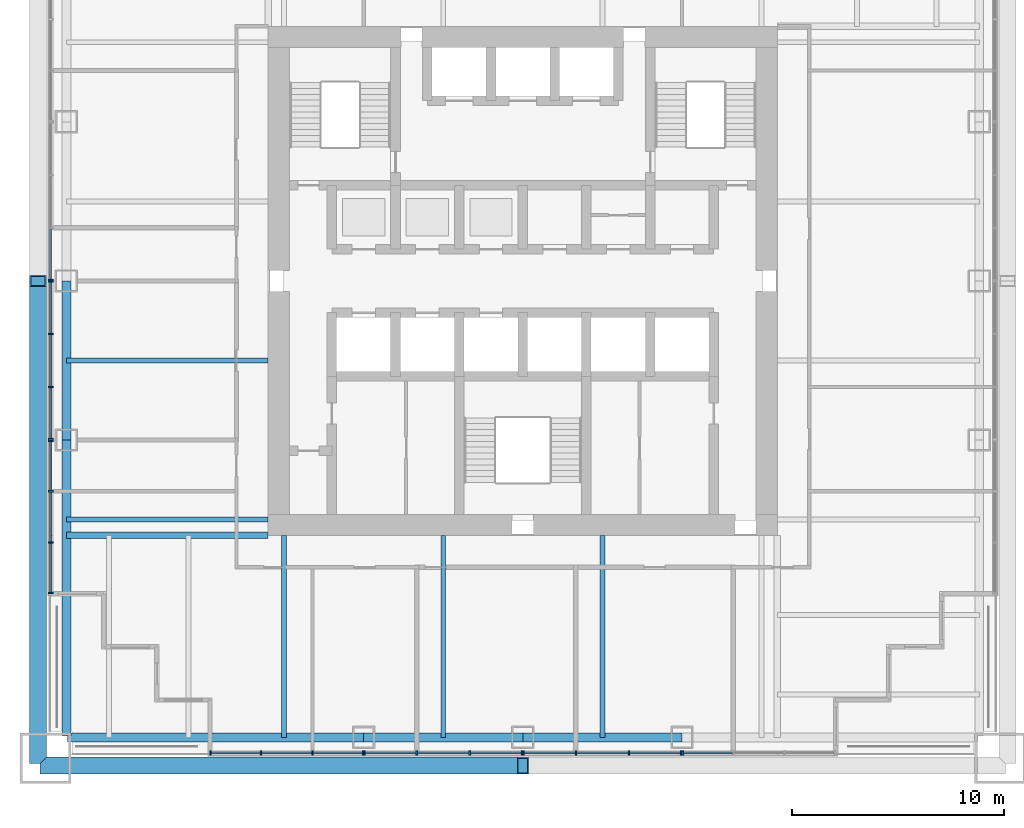
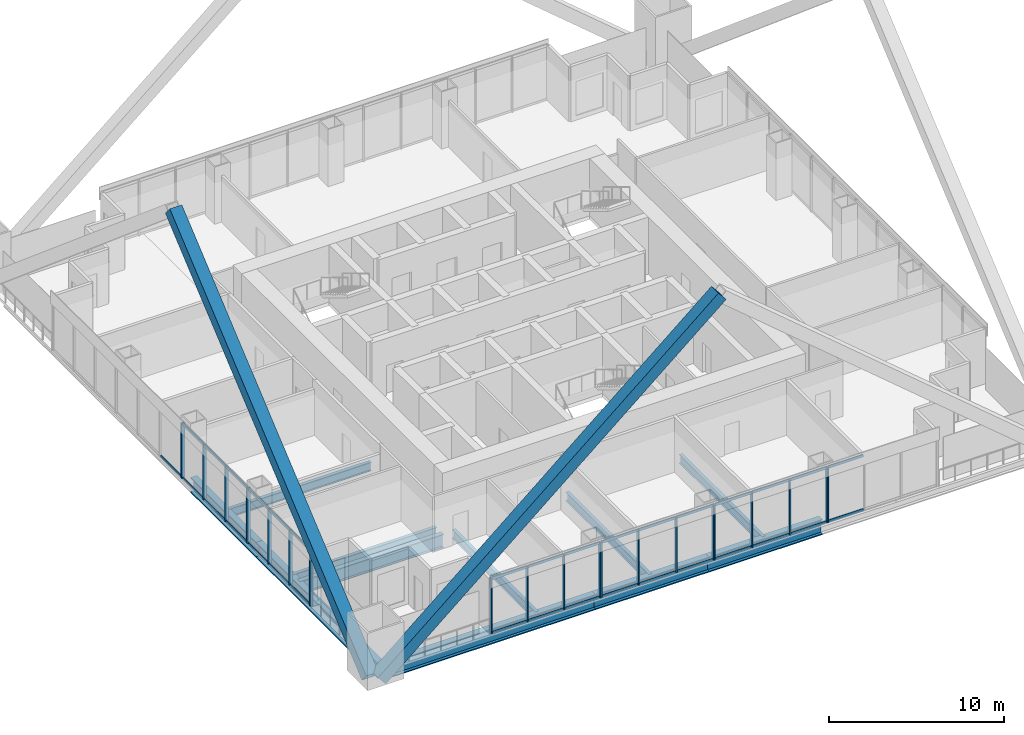
# One storey, part 2 of 14: 57 members, 11 beams, 7 elements without a shape of their own.
"""IFC4 building model written with IfcOpenShell, lengths in metres."""

from ifc_helpers import new_model, si_unit, direction, frame, origin, origin_2d, place, context, subcontext, project, spatial, rectangle, hollow_rectangle, i_section, extrude, material, material_profile, profile_set, type_object, element, aggregate, save


model = new_model("IFC4")

# Units and contexts
model_context = context("Model", 3, precision=1e-05, world=origin(), true_north=direction((0.0, 1.0)))
body_context = subcontext(model_context, "Body", "Model", "MODEL_VIEW")
ifc_project = project(units=[si_unit("LENGTHUNIT", "METRE"), si_unit("AREAUNIT", "SQUARE_METRE"), si_unit("VOLUMEUNIT", "CUBIC_METRE"), si_unit("PLANEANGLEUNIT", "RADIAN"), si_unit("MASSUNIT", "GRAM", prefix="KILO")], contexts=[model_context])

# Site, building, storey
site_placement = place(None, origin())
site = spatial("IfcSite", under=ifc_project, at=site_placement, CompositionType="ELEMENT")
building_placement = place(site_placement, origin())
building = spatial("IfcBuilding", under=site, at=building_placement, Name="Tarangal Relay Tower", CompositionType="ELEMENT")
storey_placement = place(building_placement, frame((0.0, 0.0, 177.89990234375)))
storey = spatial("IfcBuildingStorey", under=building, at=storey_placement, Name="L36", CompositionType="ELEMENT", Elevation=177.89990234375)

# Beams
ifc_material_1 = material(Name="Steel ASTM A992", Category="steel")
ifc_material_profile_1 = material_profile(ifc_material_1, i_section(OverallWidth=0.307373046875, OverallDepth=0.9423828125, WebThickness=0.022216796875, FlangeThickness=0.039794921875, at=origin_2d()), Name="W36X232")
ifc_profile_set_1 = profile_set([ifc_material_profile_1], Name="Steel ASTM A992")
beam_type_1 = type_object("IfcBeamType", Name="Corner girder W36X232", PredefinedType="BEAM", material=ifc_profile_set_1)
beam_1_placement = place(storey_placement, frame((-12.0, -12.0, -0.62109375), z_axis=(-1.0, 0.0, 0.0), x_axis=(0.0, -1.0, 0.0)))
element("IfcBeam", 1, at=beam_1_placement, inside=storey, type_object=beam_type_1, Name="Corner girder CG4 S L36", PredefinedType="BEAM", context=body_context, shape_type="SweptSolid", body=[
    extrude(i_section(OverallWidth=0.307373046875, OverallDepth=0.9423828125, WebThickness=0.022216796875, FlangeThickness=0.039794921875, at=origin_2d()), origin(), (0.0, 0.0, 1.0), 9.514892578125),
])
ifc_material_profile_2 = material_profile(ifc_material_1, i_section(OverallWidth=0.41650390625, OverallDepth=1.0693359375, WebThickness=0.0390625, FlangeThickness=0.070068359375, at=origin_2d()), Name="W40X503")
ifc_profile_set_2 = profile_set([ifc_material_profile_2], Name="Steel ASTM A992")
beam_type_2 = type_object("IfcBeamType", Name="Edge girder W40X503", PredefinedType="SPANDREL", material=ifc_profile_set_2)
for number, where, z_axis, x_axis, name in (
    (2, (7.5, -21.514892578125, -0.6845703125), (-1.0, 0.0, 0.0), (0.0, -1.0, 0.0), "Edge girder EG8 S L36"),
    (3, (0.0, -21.514892578125, -0.6845703125), (-1.0, 0.0, 0.0), (0.0, -1.0, 0.0), "Edge girder EG8 S L36"),
):
    element("IfcBeam", number, at=place(storey_placement, frame(where, z_axis=z_axis, x_axis=x_axis)), inside=storey, type_object=beam_type_2, Name=name, PredefinedType="SPANDREL", context=body_context, shape_type="SweptSolid", body=[
        extrude(i_section(OverallWidth=0.41650390625, OverallDepth=1.0693359375, WebThickness=0.0390625, FlangeThickness=0.070068359375, at=origin_2d()), origin(), (0.0, 0.0, 1.0), 7.5),
    ])
for number, where, z_axis, x_axis, name in (
    (4, (-7.5, -21.514892578125, -0.6845703125), (-1.0, 0.0, 0.0), (0.0, -1.0, 0.0), "Edge girder EG8 S L36"),
    (5, (-21.514892578125, -21.449951171875, -0.6845703125), (0.0, 1.0, 0.0), (-1.0, 0.0, 0.0), "Edge girder EG8 W L36"),
):
    element("IfcBeam", number, at=place(storey_placement, frame(where, z_axis=z_axis, x_axis=x_axis)), inside=storey, type_object=beam_type_2, Name=name, PredefinedType="SPANDREL", context=body_context, shape_type="SweptSolid", body=[
        extrude(i_section(OverallWidth=0.41650390625, OverallDepth=1.0693359375, WebThickness=0.0390625, FlangeThickness=0.070068359375, at=origin_2d()), origin(), (0.0, 0.0, 1.0), 13.949951171875),
    ])
beam_2_placement = place(storey_placement, frame((-21.514892578125, -7.5, -0.6845703125), z_axis=(0.0, 1.0, 0.0), x_axis=(-1.0, 0.0, 0.0)))
element("IfcBeam", 6, at=beam_2_placement, inside=storey, type_object=beam_type_2, Name="Edge girder EG8 W L36", PredefinedType="SPANDREL", context=body_context, shape_type="SweptSolid", body=[
    extrude(i_section(OverallWidth=0.41650390625, OverallDepth=1.0693359375, WebThickness=0.0390625, FlangeThickness=0.070068359375, at=origin_2d()), origin(), (0.0, 0.0, 1.0), 7.5),
])
ifc_material_profile_3 = material_profile(ifc_material_1, i_section(OverallWidth=0.22900390625, OverallDepth=0.612060546875, WebThickness=0.011962890625, FlangeThickness=0.01953125, at=origin_2d()), Name="W24X84")
ifc_profile_set_3 = profile_set([ifc_material_profile_3], Name="Steel ASTM A992")
beam_type_3 = type_object("IfcBeamType", Name="Floor beam W24X84", PredefinedType="BEAM", material=ifc_profile_set_3)
for number, where, z_axis, x_axis, name in (
    (7, (3.75, -12.0, -0.455810546875), (0.0, -1.0, 0.0), (1.0, 0.0, 0.0), "Floor beam RB12 S L36"),
    (8, (-3.75, -12.0, -0.455810546875), (0.0, -1.0, 0.0), (1.0, 0.0, 0.0), "Floor beam RB12 S L36"),
    (9, (-11.25, -12.0, -0.455810546875), (0.0, -1.0, 0.0), (1.0, 0.0, 0.0), "Floor beam RB12 S L36"),
    (10, (-12.0, -11.25, -0.455810546875), (-1.0, 0.0, 0.0), (0.0, -1.0, 0.0), "Floor beam RB12 W L36"),
    (11, (-12.0, -3.75, -0.455810546875), (-1.0, 0.0, 0.0), (0.0, -1.0, 0.0), "Floor beam RB12 W L36"),
):
    element("IfcBeam", number, at=place(storey_placement, frame(where, z_axis=z_axis, x_axis=x_axis)), inside=storey, type_object=beam_type_3, Name=name, PredefinedType="BEAM", context=body_context, shape_type="SweptSolid", body=[
        extrude(i_section(OverallWidth=0.22900390625, OverallDepth=0.612060546875, WebThickness=0.011962890625, FlangeThickness=0.01953125, at=origin_2d()), origin(), (0.0, 0.0, 1.0), 9.514892578125),
    ])

# Members
ifc_material_2 = material(Name="Steel ASTM A572 Grade 50", Category="steel")
ifc_material_profile_4 = material_profile(ifc_material_2, hollow_rectangle(XDim=0.800048828125, YDim=0.800048828125, WallThickness=0.06494140625, at=origin_2d()), Name="BOX800X800X65")
ifc_profile_set_4 = profile_set([ifc_material_profile_4], Name="Steel ASTM A572 Grade 50")
member_type_1 = type_object("IfcMemberType", Name="Mega brace BOX800X800X65", PredefinedType="BRACE", material=ifc_profile_set_4)
for number, where, z_axis, x_axis, name in (
    (12, (-22.5, -22.85009765625, 0.0), (0.764029915847, 0.0, 0.645180817826), (0.0, 1.0, 0.0), "Mega brace MB3 S face module 1"),
    (13, (-22.85009765625, -22.5, 0.0), (0.0, 0.764029915847, 0.645180817826), (-1.0, 0.0, 0.0), "Mega brace MB3 W face module 1"),
):
    element("IfcMember", number, at=place(storey_placement, frame(where, z_axis=z_axis, x_axis=x_axis)), inside=storey, type_object=member_type_1, Name=name, PredefinedType="BRACE", context=body_context, shape_type="SweptSolid", body=[
        extrude(hollow_rectangle(XDim=0.800048828125, YDim=0.800048828125, WallThickness=0.06494140625, at=origin_2d()), origin(), (0.0, 0.0, 1.0), 29.44921875),
    ])

# Curtain wall, member
ifc_material_3 = material(Name="Unitised curtain wall, dark glass and black aluminium", Category="aluminium")
curtain_wall_type = type_object("IfcCurtainWallType", Name="Curtain wall CW-S", PredefinedType="USERDEFINED", material=ifc_material_3)
curtain_wall_1_placement = place(storey_placement, origin())
curtain_wall_1 = element("IfcCurtainWall", 14, at=curtain_wall_1_placement, inside=storey, type_object=curtain_wall_type, Name="Curtain wall CW-S S facade L36", ObjectType="UNITISED CURTAIN WALL", PredefinedType="USERDEFINED")
ifc_material_4 = material(Name="Black anodised aluminium mullion", Category="aluminium")
ifc_material_profile_5 = material_profile(ifc_material_4, rectangle(XDim=0.219970703125, YDim=0.074951171875, at=origin_2d()), Name="CW-SM 75X220")
ifc_profile_set_5 = profile_set([ifc_material_profile_5], Name="Black anodised aluminium mullion")
member_type_2 = type_object("IfcMemberType", Name="Mullion CW-S 75 x 220", PredefinedType="MULLION", material=ifc_profile_set_5)
member_1_placement = place(storey_placement, frame((7.53759765625, -22.25, 0.0), z_axis=(0.0, 0.0, 1.0), x_axis=(0.0, -1.0, 0.0)))
member_1 = element("IfcMember", 15, at=member_1_placement, type_object=member_type_2, Name="CW-S mullion 4", PredefinedType="MULLION", context=body_context, shape_type="SweptSolid", body=[
    extrude(rectangle(XDim=0.219970703125, YDim=0.074951171875, at=origin_2d()), origin(), (0.0, 0.0, 1.0), 3.85009765625),
])

# Curtain wall, members
curtain_wall_2_placement = place(storey_placement, origin())
curtain_wall_2 = element("IfcCurtainWall", 16, at=curtain_wall_2_placement, inside=storey, type_object=curtain_wall_type, Name="Curtain wall CW-S S facade L36", ObjectType="UNITISED CURTAIN WALL", PredefinedType="USERDEFINED")
member_2_placement = place(storey_placement, frame((7.46240234375, -22.25, 0.0), z_axis=(0.0, 0.0, 1.0), x_axis=(0.0, -1.0, 0.0)))
member_2 = element("IfcMember", 17, at=member_2_placement, type_object=member_type_2, Name="CW-S mullion 1", PredefinedType="MULLION", context=body_context, shape_type="SweptSolid", body=[
    extrude(rectangle(XDim=0.219970703125, YDim=0.074951171875, at=origin_2d()), origin(), (0.0, 0.0, 1.0), 3.85009765625),
])
member_3_placement = place(storey_placement, frame((5.0, -22.25, 0.0), z_axis=(0.0, 0.0, 1.0), x_axis=(0.0, -1.0, 0.0)))
member_3 = element("IfcMember", 18, at=member_3_placement, type_object=member_type_2, Name="CW-S mullion 2", PredefinedType="MULLION", context=body_context, shape_type="SweptSolid", body=[
    extrude(rectangle(XDim=0.219970703125, YDim=0.074951171875, at=origin_2d()), origin(), (0.0, 0.0, 1.0), 3.85009765625),
])
member_4_placement = place(storey_placement, frame((2.5, -22.25, 0.0), z_axis=(0.0, 0.0, 1.0), x_axis=(0.0, -1.0, 0.0)))
member_4 = element("IfcMember", 19, at=member_4_placement, type_object=member_type_2, Name="CW-S mullion 3", PredefinedType="MULLION", context=body_context, shape_type="SweptSolid", body=[
    extrude(rectangle(XDim=0.219970703125, YDim=0.074951171875, at=origin_2d()), origin(), (0.0, 0.0, 1.0), 3.85009765625),
])
member_5_placement = place(storey_placement, frame((0.03759765625, -22.25, 0.0), z_axis=(0.0, 0.0, 1.0), x_axis=(0.0, -1.0, 0.0)))
member_5 = element("IfcMember", 20, at=member_5_placement, type_object=member_type_2, Name="CW-S mullion 4", PredefinedType="MULLION", context=body_context, shape_type="SweptSolid", body=[
    extrude(rectangle(XDim=0.219970703125, YDim=0.074951171875, at=origin_2d()), origin(), (0.0, 0.0, 1.0), 3.85009765625),
])

curtain_wall_3_placement = place(storey_placement, origin())
curtain_wall_3 = element("IfcCurtainWall", 21, at=curtain_wall_3_placement, inside=storey, type_object=curtain_wall_type, Name="Curtain wall CW-S S facade L36", ObjectType="UNITISED CURTAIN WALL", PredefinedType="USERDEFINED")
member_6_placement = place(storey_placement, frame((-0.03759765625, -22.25, 0.0), z_axis=(0.0, 0.0, 1.0), x_axis=(0.0, -1.0, 0.0)))
member_6 = element("IfcMember", 22, at=member_6_placement, type_object=member_type_2, Name="CW-S mullion 1", PredefinedType="MULLION", context=body_context, shape_type="SweptSolid", body=[
    extrude(rectangle(XDim=0.219970703125, YDim=0.074951171875, at=origin_2d()), origin(), (0.0, 0.0, 1.0), 3.85009765625),
])
member_7_placement = place(storey_placement, frame((-2.5, -22.25, 0.0), z_axis=(0.0, 0.0, 1.0), x_axis=(0.0, -1.0, 0.0)))
member_7 = element("IfcMember", 23, at=member_7_placement, type_object=member_type_2, Name="CW-S mullion 2", PredefinedType="MULLION", context=body_context, shape_type="SweptSolid", body=[
    extrude(rectangle(XDim=0.219970703125, YDim=0.074951171875, at=origin_2d()), origin(), (0.0, 0.0, 1.0), 3.85009765625),
])
member_8_placement = place(storey_placement, frame((-5.0, -22.25, 0.0), z_axis=(0.0, 0.0, 1.0), x_axis=(0.0, -1.0, 0.0)))
member_8 = element("IfcMember", 24, at=member_8_placement, type_object=member_type_2, Name="CW-S mullion 3", PredefinedType="MULLION", context=body_context, shape_type="SweptSolid", body=[
    extrude(rectangle(XDim=0.219970703125, YDim=0.074951171875, at=origin_2d()), origin(), (0.0, 0.0, 1.0), 3.85009765625),
])
member_9_placement = place(storey_placement, frame((-7.46240234375, -22.25, 0.0), z_axis=(0.0, 0.0, 1.0), x_axis=(0.0, -1.0, 0.0)))
member_9 = element("IfcMember", 25, at=member_9_placement, type_object=member_type_2, Name="CW-S mullion 4", PredefinedType="MULLION", context=body_context, shape_type="SweptSolid", body=[
    extrude(rectangle(XDim=0.219970703125, YDim=0.074951171875, at=origin_2d()), origin(), (0.0, 0.0, 1.0), 3.85009765625),
])

curtain_wall_4_placement = place(storey_placement, origin())
curtain_wall_4 = element("IfcCurtainWall", 26, at=curtain_wall_4_placement, inside=storey, type_object=curtain_wall_type, Name="Curtain wall CW-S S facade L36", ObjectType="UNITISED CURTAIN WALL", PredefinedType="USERDEFINED")
member_10_placement = place(storey_placement, frame((-7.53759765625, -22.25, 0.0), z_axis=(0.0, 0.0, 1.0), x_axis=(0.0, -1.0, 0.0)))
member_10 = element("IfcMember", 27, at=member_10_placement, type_object=member_type_2, Name="CW-S mullion 1", PredefinedType="MULLION", context=body_context, shape_type="SweptSolid", body=[
    extrude(rectangle(XDim=0.219970703125, YDim=0.074951171875, at=origin_2d()), origin(), (0.0, 0.0, 1.0), 3.85009765625),
])
member_11_placement = place(storey_placement, frame((-9.916748046875, -22.25, 0.0), z_axis=(0.0, 0.0, 1.0), x_axis=(0.0, -1.0, 0.0)))
member_11 = element("IfcMember", 28, at=member_11_placement, type_object=member_type_2, Name="CW-S mullion 2", PredefinedType="MULLION", context=body_context, shape_type="SweptSolid", body=[
    extrude(rectangle(XDim=0.219970703125, YDim=0.074951171875, at=origin_2d()), origin(), (0.0, 0.0, 1.0), 3.85009765625),
])
member_12_placement = place(storey_placement, frame((-12.333251953125, -22.25, 0.0), z_axis=(0.0, 0.0, 1.0), x_axis=(0.0, -1.0, 0.0)))
member_12 = element("IfcMember", 29, at=member_12_placement, type_object=member_type_2, Name="CW-S mullion 3", PredefinedType="MULLION", context=body_context, shape_type="SweptSolid", body=[
    extrude(rectangle(XDim=0.219970703125, YDim=0.074951171875, at=origin_2d()), origin(), (0.0, 0.0, 1.0), 3.85009765625),
])
member_13_placement = place(storey_placement, frame((-14.71240234375, -22.25, 0.0), z_axis=(0.0, 0.0, 1.0), x_axis=(0.0, -1.0, 0.0)))
member_13 = element("IfcMember", 30, at=member_13_placement, type_object=member_type_2, Name="CW-S mullion 4", PredefinedType="MULLION", context=body_context, shape_type="SweptSolid", body=[
    extrude(rectangle(XDim=0.219970703125, YDim=0.074951171875, at=origin_2d()), origin(), (0.0, 0.0, 1.0), 3.85009765625),
])

curtain_wall_5_placement = place(storey_placement, origin())
curtain_wall_5 = element("IfcCurtainWall", 31, at=curtain_wall_5_placement, inside=storey, type_object=curtain_wall_type, Name="Curtain wall CW-S W facade L36", ObjectType="UNITISED CURTAIN WALL", PredefinedType="USERDEFINED")
member_14_placement = place(storey_placement, frame((-22.25, -14.71240234375, 0.0), z_axis=(0.0, 0.0, 1.0), x_axis=(-1.0, 0.0, 0.0)))
member_14 = element("IfcMember", 32, at=member_14_placement, type_object=member_type_2, Name="CW-S mullion 1", PredefinedType="MULLION", context=body_context, shape_type="SweptSolid", body=[
    extrude(rectangle(XDim=0.219970703125, YDim=0.074951171875, at=origin_2d()), origin(), (0.0, 0.0, 1.0), 3.85009765625),
])
member_15_placement = place(storey_placement, frame((-22.25, -12.333251953125, 0.0), z_axis=(0.0, 0.0, 1.0), x_axis=(-1.0, 0.0, 0.0)))
member_15 = element("IfcMember", 33, at=member_15_placement, type_object=member_type_2, Name="CW-S mullion 2", PredefinedType="MULLION", context=body_context, shape_type="SweptSolid", body=[
    extrude(rectangle(XDim=0.219970703125, YDim=0.074951171875, at=origin_2d()), origin(), (0.0, 0.0, 1.0), 3.85009765625),
])
member_16_placement = place(storey_placement, frame((-22.25, -9.916748046875, 0.0), z_axis=(0.0, 0.0, 1.0), x_axis=(-1.0, 0.0, 0.0)))
member_16 = element("IfcMember", 34, at=member_16_placement, type_object=member_type_2, Name="CW-S mullion 3", PredefinedType="MULLION", context=body_context, shape_type="SweptSolid", body=[
    extrude(rectangle(XDim=0.219970703125, YDim=0.074951171875, at=origin_2d()), origin(), (0.0, 0.0, 1.0), 3.85009765625),
])
member_17_placement = place(storey_placement, frame((-22.25, -7.53759765625, 0.0), z_axis=(0.0, 0.0, 1.0), x_axis=(-1.0, 0.0, 0.0)))
member_17 = element("IfcMember", 35, at=member_17_placement, type_object=member_type_2, Name="CW-S mullion 4", PredefinedType="MULLION", context=body_context, shape_type="SweptSolid", body=[
    extrude(rectangle(XDim=0.219970703125, YDim=0.074951171875, at=origin_2d()), origin(), (0.0, 0.0, 1.0), 3.85009765625),
])

curtain_wall_6_placement = place(storey_placement, origin())
curtain_wall_6 = element("IfcCurtainWall", 36, at=curtain_wall_6_placement, inside=storey, type_object=curtain_wall_type, Name="Curtain wall CW-S W facade L36", ObjectType="UNITISED CURTAIN WALL", PredefinedType="USERDEFINED")
member_18_placement = place(storey_placement, frame((-22.25, -7.46240234375, 0.0), z_axis=(0.0, 0.0, 1.0), x_axis=(-1.0, 0.0, 0.0)))
member_18 = element("IfcMember", 37, at=member_18_placement, type_object=member_type_2, Name="CW-S mullion 1", PredefinedType="MULLION", context=body_context, shape_type="SweptSolid", body=[
    extrude(rectangle(XDim=0.219970703125, YDim=0.074951171875, at=origin_2d()), origin(), (0.0, 0.0, 1.0), 3.85009765625),
])
member_19_placement = place(storey_placement, frame((-22.25, -5.0, 0.0), z_axis=(0.0, 0.0, 1.0), x_axis=(-1.0, 0.0, 0.0)))
member_19 = element("IfcMember", 38, at=member_19_placement, type_object=member_type_2, Name="CW-S mullion 2", PredefinedType="MULLION", context=body_context, shape_type="SweptSolid", body=[
    extrude(rectangle(XDim=0.219970703125, YDim=0.074951171875, at=origin_2d()), origin(), (0.0, 0.0, 1.0), 3.85009765625),
])
member_20_placement = place(storey_placement, frame((-22.25, -2.5, 0.0), z_axis=(0.0, 0.0, 1.0), x_axis=(-1.0, 0.0, 0.0)))
member_20 = element("IfcMember", 39, at=member_20_placement, type_object=member_type_2, Name="CW-S mullion 3", PredefinedType="MULLION", context=body_context, shape_type="SweptSolid", body=[
    extrude(rectangle(XDim=0.219970703125, YDim=0.074951171875, at=origin_2d()), origin(), (0.0, 0.0, 1.0), 3.85009765625),
])
member_21_placement = place(storey_placement, frame((-22.25, -0.03759765625, 0.0), z_axis=(0.0, 0.0, 1.0), x_axis=(-1.0, 0.0, 0.0)))
member_21 = element("IfcMember", 40, at=member_21_placement, type_object=member_type_2, Name="CW-S mullion 4", PredefinedType="MULLION", context=body_context, shape_type="SweptSolid", body=[
    extrude(rectangle(XDim=0.219970703125, YDim=0.074951171875, at=origin_2d()), origin(), (0.0, 0.0, 1.0), 3.85009765625),
])

# Curtain wall, member
curtain_wall_7_placement = place(storey_placement, origin())
curtain_wall_7 = element("IfcCurtainWall", 41, at=curtain_wall_7_placement, inside=storey, type_object=curtain_wall_type, Name="Curtain wall CW-S W facade L36", ObjectType="UNITISED CURTAIN WALL", PredefinedType="USERDEFINED")
member_22_placement = place(storey_placement, frame((-22.25, 0.03759765625, 0.0), z_axis=(0.0, 0.0, 1.0), x_axis=(-1.0, 0.0, 0.0)))
member_22 = element("IfcMember", 42, at=member_22_placement, type_object=member_type_2, Name="CW-S mullion 1", PredefinedType="MULLION", context=body_context, shape_type="SweptSolid", body=[
    extrude(rectangle(XDim=0.219970703125, YDim=0.074951171875, at=origin_2d()), origin(), (0.0, 0.0, 1.0), 3.85009765625),
])

# Member
ifc_material_5 = material(Name="Black anodised aluminium transom", Category="aluminium")
ifc_material_profile_6 = material_profile(ifc_material_5, rectangle(XDim=0.074951171875, YDim=0.179931640625, at=origin_2d()), Name="CW-ST 75X180")
ifc_profile_set_6 = profile_set([ifc_material_profile_6], Name="Black anodised aluminium transom")
member_type_3 = type_object("IfcMemberType", Name="Transom CW-S 75 x 180", PredefinedType="USERDEFINED", material=ifc_profile_set_6)
member_23_placement = place(storey_placement, frame((9.879150390625, -22.25, 0.03759765625), z_axis=(-1.0, 0.0, 0.0), x_axis=(0.0, -1.0, 0.0)))
member_23 = element("IfcMember", 43, at=member_23_placement, type_object=member_type_3, Name="CW-S transom 3.1", ObjectType="TRANSOM", PredefinedType="USERDEFINED", context=body_context, shape_type="SweptSolid", body=[
    extrude(rectangle(XDim=0.074951171875, YDim=0.179931640625, at=origin_2d()), origin(), (0.0, 0.0, 1.0), 2.30419921875),
])

member_24_placement = place(storey_placement, frame((9.879150390625, -22.25, 3.8125), z_axis=(-1.0, 0.0, 0.0), x_axis=(0.0, -1.0, 0.0)))
member_24 = element("IfcMember", 44, at=member_24_placement, type_object=member_type_3, Name="CW-S transom 3.2", ObjectType="TRANSOM", PredefinedType="USERDEFINED", context=body_context, shape_type="SweptSolid", body=[
    extrude(rectangle(XDim=0.074951171875, YDim=0.179931640625, at=origin_2d()), origin(), (0.0, 0.0, 1.0), 2.30419921875),
])

aggregate(curtain_wall_1, [member_1, member_23, member_24])

member_25_placement = place(storey_placement, frame((7.425048828125, -22.25, 0.03759765625), z_axis=(-1.0, 0.0, 0.0), x_axis=(0.0, -1.0, 0.0)))
member_25 = element("IfcMember", 45, at=member_25_placement, type_object=member_type_3, Name="CW-S transom 1.1", ObjectType="TRANSOM", PredefinedType="USERDEFINED", context=body_context, shape_type="SweptSolid", body=[
    extrude(rectangle(XDim=0.074951171875, YDim=0.179931640625, at=origin_2d()), origin(), (0.0, 0.0, 1.0), 2.387451171875),
])

member_26_placement = place(storey_placement, frame((7.425048828125, -22.25, 3.8125), z_axis=(-1.0, 0.0, 0.0), x_axis=(0.0, -1.0, 0.0)))
member_26 = element("IfcMember", 46, at=member_26_placement, type_object=member_type_3, Name="CW-S transom 1.2", ObjectType="TRANSOM", PredefinedType="USERDEFINED", context=body_context, shape_type="SweptSolid", body=[
    extrude(rectangle(XDim=0.074951171875, YDim=0.179931640625, at=origin_2d()), origin(), (0.0, 0.0, 1.0), 2.387451171875),
])

member_27_placement = place(storey_placement, frame((4.96240234375, -22.25, 0.03759765625), z_axis=(-1.0, 0.0, 0.0), x_axis=(0.0, -1.0, 0.0)))
member_27 = element("IfcMember", 47, at=member_27_placement, type_object=member_type_3, Name="CW-S transom 2.1", ObjectType="TRANSOM", PredefinedType="USERDEFINED", context=body_context, shape_type="SweptSolid", body=[
    extrude(rectangle(XDim=0.074951171875, YDim=0.179931640625, at=origin_2d()), origin(), (0.0, 0.0, 1.0), 2.4248046875),
])

member_28_placement = place(storey_placement, frame((4.96240234375, -22.25, 3.8125), z_axis=(-1.0, 0.0, 0.0), x_axis=(0.0, -1.0, 0.0)))
member_28 = element("IfcMember", 48, at=member_28_placement, type_object=member_type_3, Name="CW-S transom 2.2", ObjectType="TRANSOM", PredefinedType="USERDEFINED", context=body_context, shape_type="SweptSolid", body=[
    extrude(rectangle(XDim=0.074951171875, YDim=0.179931640625, at=origin_2d()), origin(), (0.0, 0.0, 1.0), 2.4248046875),
])

member_29_placement = place(storey_placement, frame((2.46240234375, -22.25, 0.03759765625), z_axis=(-1.0, 0.0, 0.0), x_axis=(0.0, -1.0, 0.0)))
member_29 = element("IfcMember", 49, at=member_29_placement, type_object=member_type_3, Name="CW-S transom 3.1", ObjectType="TRANSOM", PredefinedType="USERDEFINED", context=body_context, shape_type="SweptSolid", body=[
    extrude(rectangle(XDim=0.074951171875, YDim=0.179931640625, at=origin_2d()), origin(), (0.0, 0.0, 1.0), 2.387451171875),
])

member_30_placement = place(storey_placement, frame((2.46240234375, -22.25, 3.8125), z_axis=(-1.0, 0.0, 0.0), x_axis=(0.0, -1.0, 0.0)))
member_30 = element("IfcMember", 50, at=member_30_placement, type_object=member_type_3, Name="CW-S transom 3.2", ObjectType="TRANSOM", PredefinedType="USERDEFINED", context=body_context, shape_type="SweptSolid", body=[
    extrude(rectangle(XDim=0.074951171875, YDim=0.179931640625, at=origin_2d()), origin(), (0.0, 0.0, 1.0), 2.387451171875),
])

aggregate(curtain_wall_2, [member_2, member_3, member_4, member_5, member_25, member_26, member_27, member_28, member_29, member_30])

member_31_placement = place(storey_placement, frame((-0.074951171875, -22.25, 0.03759765625), z_axis=(-1.0, 0.0, 0.0), x_axis=(0.0, -1.0, 0.0)))
member_31 = element("IfcMember", 51, at=member_31_placement, type_object=member_type_3, Name="CW-S transom 1.1", ObjectType="TRANSOM", PredefinedType="USERDEFINED", context=body_context, shape_type="SweptSolid", body=[
    extrude(rectangle(XDim=0.074951171875, YDim=0.179931640625, at=origin_2d()), origin(), (0.0, 0.0, 1.0), 2.387451171875),
])

member_32_placement = place(storey_placement, frame((-0.074951171875, -22.25, 3.8125), z_axis=(-1.0, 0.0, 0.0), x_axis=(0.0, -1.0, 0.0)))
member_32 = element("IfcMember", 52, at=member_32_placement, type_object=member_type_3, Name="CW-S transom 1.2", ObjectType="TRANSOM", PredefinedType="USERDEFINED", context=body_context, shape_type="SweptSolid", body=[
    extrude(rectangle(XDim=0.074951171875, YDim=0.179931640625, at=origin_2d()), origin(), (0.0, 0.0, 1.0), 2.387451171875),
])

member_33_placement = place(storey_placement, frame((-2.53759765625, -22.25, 0.03759765625), z_axis=(-1.0, 0.0, 0.0), x_axis=(0.0, -1.0, 0.0)))
member_33 = element("IfcMember", 53, at=member_33_placement, type_object=member_type_3, Name="CW-S transom 2.1", ObjectType="TRANSOM", PredefinedType="USERDEFINED", context=body_context, shape_type="SweptSolid", body=[
    extrude(rectangle(XDim=0.074951171875, YDim=0.179931640625, at=origin_2d()), origin(), (0.0, 0.0, 1.0), 2.4248046875),
])

member_34_placement = place(storey_placement, frame((-2.53759765625, -22.25, 3.8125), z_axis=(-1.0, 0.0, 0.0), x_axis=(0.0, -1.0, 0.0)))
member_34 = element("IfcMember", 54, at=member_34_placement, type_object=member_type_3, Name="CW-S transom 2.2", ObjectType="TRANSOM", PredefinedType="USERDEFINED", context=body_context, shape_type="SweptSolid", body=[
    extrude(rectangle(XDim=0.074951171875, YDim=0.179931640625, at=origin_2d()), origin(), (0.0, 0.0, 1.0), 2.4248046875),
])

member_35_placement = place(storey_placement, frame((-5.03759765625, -22.25, 0.03759765625), z_axis=(-1.0, 0.0, 0.0), x_axis=(0.0, -1.0, 0.0)))
member_35 = element("IfcMember", 55, at=member_35_placement, type_object=member_type_3, Name="CW-S transom 3.1", ObjectType="TRANSOM", PredefinedType="USERDEFINED", context=body_context, shape_type="SweptSolid", body=[
    extrude(rectangle(XDim=0.074951171875, YDim=0.179931640625, at=origin_2d()), origin(), (0.0, 0.0, 1.0), 2.387451171875),
])

member_36_placement = place(storey_placement, frame((-5.03759765625, -22.25, 3.8125), z_axis=(-1.0, 0.0, 0.0), x_axis=(0.0, -1.0, 0.0)))
member_36 = element("IfcMember", 56, at=member_36_placement, type_object=member_type_3, Name="CW-S transom 3.2", ObjectType="TRANSOM", PredefinedType="USERDEFINED", context=body_context, shape_type="SweptSolid", body=[
    extrude(rectangle(XDim=0.074951171875, YDim=0.179931640625, at=origin_2d()), origin(), (0.0, 0.0, 1.0), 2.387451171875),
])

aggregate(curtain_wall_3, [member_6, member_7, member_8, member_9, member_31, member_32, member_33, member_34, member_35, member_36])

member_37_placement = place(storey_placement, frame((-7.574951171875, -22.25, 0.03759765625), z_axis=(-1.0, 0.0, 0.0), x_axis=(0.0, -1.0, 0.0)))
member_37 = element("IfcMember", 57, at=member_37_placement, type_object=member_type_3, Name="CW-S transom 1.1", ObjectType="TRANSOM", PredefinedType="USERDEFINED", context=body_context, shape_type="SweptSolid", body=[
    extrude(rectangle(XDim=0.074951171875, YDim=0.179931640625, at=origin_2d()), origin(), (0.0, 0.0, 1.0), 2.30419921875),
])

member_38_placement = place(storey_placement, frame((-7.574951171875, -22.25, 3.8125), z_axis=(-1.0, 0.0, 0.0), x_axis=(0.0, -1.0, 0.0)))
member_38 = element("IfcMember", 58, at=member_38_placement, type_object=member_type_3, Name="CW-S transom 1.2", ObjectType="TRANSOM", PredefinedType="USERDEFINED", context=body_context, shape_type="SweptSolid", body=[
    extrude(rectangle(XDim=0.074951171875, YDim=0.179931640625, at=origin_2d()), origin(), (0.0, 0.0, 1.0), 2.30419921875),
])

member_39_placement = place(storey_placement, frame((-9.9541015625, -22.25, 0.03759765625), z_axis=(-1.0, 0.0, 0.0), x_axis=(0.0, -1.0, 0.0)))
member_39 = element("IfcMember", 59, at=member_39_placement, type_object=member_type_3, Name="CW-S transom 2.1", ObjectType="TRANSOM", PredefinedType="USERDEFINED", context=body_context, shape_type="SweptSolid", body=[
    extrude(rectangle(XDim=0.074951171875, YDim=0.179931640625, at=origin_2d()), origin(), (0.0, 0.0, 1.0), 2.341796875),
])

member_40_placement = place(storey_placement, frame((-9.9541015625, -22.25, 3.8125), z_axis=(-1.0, 0.0, 0.0), x_axis=(0.0, -1.0, 0.0)))
member_40 = element("IfcMember", 60, at=member_40_placement, type_object=member_type_3, Name="CW-S transom 2.2", ObjectType="TRANSOM", PredefinedType="USERDEFINED", context=body_context, shape_type="SweptSolid", body=[
    extrude(rectangle(XDim=0.074951171875, YDim=0.179931640625, at=origin_2d()), origin(), (0.0, 0.0, 1.0), 2.341796875),
])

member_41_placement = place(storey_placement, frame((-12.370849609375, -22.25, 0.03759765625), z_axis=(-1.0, 0.0, 0.0), x_axis=(0.0, -1.0, 0.0)))
member_41 = element("IfcMember", 61, at=member_41_placement, type_object=member_type_3, Name="CW-S transom 3.1", ObjectType="TRANSOM", PredefinedType="USERDEFINED", context=body_context, shape_type="SweptSolid", body=[
    extrude(rectangle(XDim=0.074951171875, YDim=0.179931640625, at=origin_2d()), origin(), (0.0, 0.0, 1.0), 2.30419921875),
])

member_42_placement = place(storey_placement, frame((-12.370849609375, -22.25, 3.8125), z_axis=(-1.0, 0.0, 0.0), x_axis=(0.0, -1.0, 0.0)))
member_42 = element("IfcMember", 62, at=member_42_placement, type_object=member_type_3, Name="CW-S transom 3.2", ObjectType="TRANSOM", PredefinedType="USERDEFINED", context=body_context, shape_type="SweptSolid", body=[
    extrude(rectangle(XDim=0.074951171875, YDim=0.179931640625, at=origin_2d()), origin(), (0.0, 0.0, 1.0), 2.30419921875),
])

aggregate(curtain_wall_4, [member_10, member_11, member_12, member_13, member_37, member_38, member_39, member_40, member_41, member_42])

member_43_placement = place(storey_placement, frame((-22.25, -14.675048828125, 0.03759765625), z_axis=(0.0, 1.0, 0.0), x_axis=(-1.0, 0.0, 0.0)))
member_43 = element("IfcMember", 63, at=member_43_placement, type_object=member_type_3, Name="CW-S transom 1.1", ObjectType="TRANSOM", PredefinedType="USERDEFINED", context=body_context, shape_type="SweptSolid", body=[
    extrude(rectangle(XDim=0.074951171875, YDim=0.179931640625, at=origin_2d()), origin(), (0.0, 0.0, 1.0), 2.30419921875),
])

member_44_placement = place(storey_placement, frame((-22.25, -14.675048828125, 3.8125), z_axis=(0.0, 1.0, 0.0), x_axis=(-1.0, 0.0, 0.0)))
member_44 = element("IfcMember", 64, at=member_44_placement, type_object=member_type_3, Name="CW-S transom 1.2", ObjectType="TRANSOM", PredefinedType="USERDEFINED", context=body_context, shape_type="SweptSolid", body=[
    extrude(rectangle(XDim=0.074951171875, YDim=0.179931640625, at=origin_2d()), origin(), (0.0, 0.0, 1.0), 2.30419921875),
])

member_45_placement = place(storey_placement, frame((-22.25, -12.2958984375, 0.03759765625), z_axis=(0.0, 1.0, 0.0), x_axis=(-1.0, 0.0, 0.0)))
member_45 = element("IfcMember", 65, at=member_45_placement, type_object=member_type_3, Name="CW-S transom 2.1", ObjectType="TRANSOM", PredefinedType="USERDEFINED", context=body_context, shape_type="SweptSolid", body=[
    extrude(rectangle(XDim=0.074951171875, YDim=0.179931640625, at=origin_2d()), origin(), (0.0, 0.0, 1.0), 2.341796875),
])

member_46_placement = place(storey_placement, frame((-22.25, -12.2958984375, 3.8125), z_axis=(0.0, 1.0, 0.0), x_axis=(-1.0, 0.0, 0.0)))
member_46 = element("IfcMember", 66, at=member_46_placement, type_object=member_type_3, Name="CW-S transom 2.2", ObjectType="TRANSOM", PredefinedType="USERDEFINED", context=body_context, shape_type="SweptSolid", body=[
    extrude(rectangle(XDim=0.074951171875, YDim=0.179931640625, at=origin_2d()), origin(), (0.0, 0.0, 1.0), 2.341796875),
])

member_47_placement = place(storey_placement, frame((-22.25, -9.879150390625, 0.03759765625), z_axis=(0.0, 1.0, 0.0), x_axis=(-1.0, 0.0, 0.0)))
member_47 = element("IfcMember", 67, at=member_47_placement, type_object=member_type_3, Name="CW-S transom 3.1", ObjectType="TRANSOM", PredefinedType="USERDEFINED", context=body_context, shape_type="SweptSolid", body=[
    extrude(rectangle(XDim=0.074951171875, YDim=0.179931640625, at=origin_2d()), origin(), (0.0, 0.0, 1.0), 2.30419921875),
])

member_48_placement = place(storey_placement, frame((-22.25, -9.879150390625, 3.8125), z_axis=(0.0, 1.0, 0.0), x_axis=(-1.0, 0.0, 0.0)))
member_48 = element("IfcMember", 68, at=member_48_placement, type_object=member_type_3, Name="CW-S transom 3.2", ObjectType="TRANSOM", PredefinedType="USERDEFINED", context=body_context, shape_type="SweptSolid", body=[
    extrude(rectangle(XDim=0.074951171875, YDim=0.179931640625, at=origin_2d()), origin(), (0.0, 0.0, 1.0), 2.30419921875),
])

aggregate(curtain_wall_5, [member_14, member_15, member_16, member_17, member_43, member_44, member_45, member_46, member_47, member_48])

member_49_placement = place(storey_placement, frame((-22.25, -7.425048828125, 0.03759765625), z_axis=(0.0, 1.0, 0.0), x_axis=(-1.0, 0.0, 0.0)))
member_49 = element("IfcMember", 69, at=member_49_placement, type_object=member_type_3, Name="CW-S transom 1.1", ObjectType="TRANSOM", PredefinedType="USERDEFINED", context=body_context, shape_type="SweptSolid", body=[
    extrude(rectangle(XDim=0.074951171875, YDim=0.179931640625, at=origin_2d()), origin(), (0.0, 0.0, 1.0), 2.387451171875),
])

member_50_placement = place(storey_placement, frame((-22.25, -7.425048828125, 3.8125), z_axis=(0.0, 1.0, 0.0), x_axis=(-1.0, 0.0, 0.0)))
member_50 = element("IfcMember", 70, at=member_50_placement, type_object=member_type_3, Name="CW-S transom 1.2", ObjectType="TRANSOM", PredefinedType="USERDEFINED", context=body_context, shape_type="SweptSolid", body=[
    extrude(rectangle(XDim=0.074951171875, YDim=0.179931640625, at=origin_2d()), origin(), (0.0, 0.0, 1.0), 2.387451171875),
])

member_51_placement = place(storey_placement, frame((-22.25, -4.96240234375, 0.03759765625), z_axis=(0.0, 1.0, 0.0), x_axis=(-1.0, 0.0, 0.0)))
member_51 = element("IfcMember", 71, at=member_51_placement, type_object=member_type_3, Name="CW-S transom 2.1", ObjectType="TRANSOM", PredefinedType="USERDEFINED", context=body_context, shape_type="SweptSolid", body=[
    extrude(rectangle(XDim=0.074951171875, YDim=0.179931640625, at=origin_2d()), origin(), (0.0, 0.0, 1.0), 2.4248046875),
])

member_52_placement = place(storey_placement, frame((-22.25, -4.96240234375, 3.8125), z_axis=(0.0, 1.0, 0.0), x_axis=(-1.0, 0.0, 0.0)))
member_52 = element("IfcMember", 72, at=member_52_placement, type_object=member_type_3, Name="CW-S transom 2.2", ObjectType="TRANSOM", PredefinedType="USERDEFINED", context=body_context, shape_type="SweptSolid", body=[
    extrude(rectangle(XDim=0.074951171875, YDim=0.179931640625, at=origin_2d()), origin(), (0.0, 0.0, 1.0), 2.4248046875),
])

member_53_placement = place(storey_placement, frame((-22.25, -2.46240234375, 0.03759765625), z_axis=(0.0, 1.0, 0.0), x_axis=(-1.0, 0.0, 0.0)))
member_53 = element("IfcMember", 73, at=member_53_placement, type_object=member_type_3, Name="CW-S transom 3.1", ObjectType="TRANSOM", PredefinedType="USERDEFINED", context=body_context, shape_type="SweptSolid", body=[
    extrude(rectangle(XDim=0.074951171875, YDim=0.179931640625, at=origin_2d()), origin(), (0.0, 0.0, 1.0), 2.387451171875),
])

member_54_placement = place(storey_placement, frame((-22.25, -2.46240234375, 3.8125), z_axis=(0.0, 1.0, 0.0), x_axis=(-1.0, 0.0, 0.0)))
member_54 = element("IfcMember", 74, at=member_54_placement, type_object=member_type_3, Name="CW-S transom 3.2", ObjectType="TRANSOM", PredefinedType="USERDEFINED", context=body_context, shape_type="SweptSolid", body=[
    extrude(rectangle(XDim=0.074951171875, YDim=0.179931640625, at=origin_2d()), origin(), (0.0, 0.0, 1.0), 2.387451171875),
])

aggregate(curtain_wall_6, [member_18, member_19, member_20, member_21, member_49, member_50, member_51, member_52, member_53, member_54])

member_55_placement = place(storey_placement, frame((-22.25, 0.074951171875, 0.03759765625), z_axis=(0.0, 1.0, 0.0), x_axis=(-1.0, 0.0, 0.0)))
member_55 = element("IfcMember", 75, at=member_55_placement, type_object=member_type_3, Name="CW-S transom 1.1", ObjectType="TRANSOM", PredefinedType="USERDEFINED", context=body_context, shape_type="SweptSolid", body=[
    extrude(rectangle(XDim=0.074951171875, YDim=0.179931640625, at=origin_2d()), origin(), (0.0, 0.0, 1.0), 2.387451171875),
])

aggregate(curtain_wall_7, [member_22, member_55])

save(model, "model.ifc")
